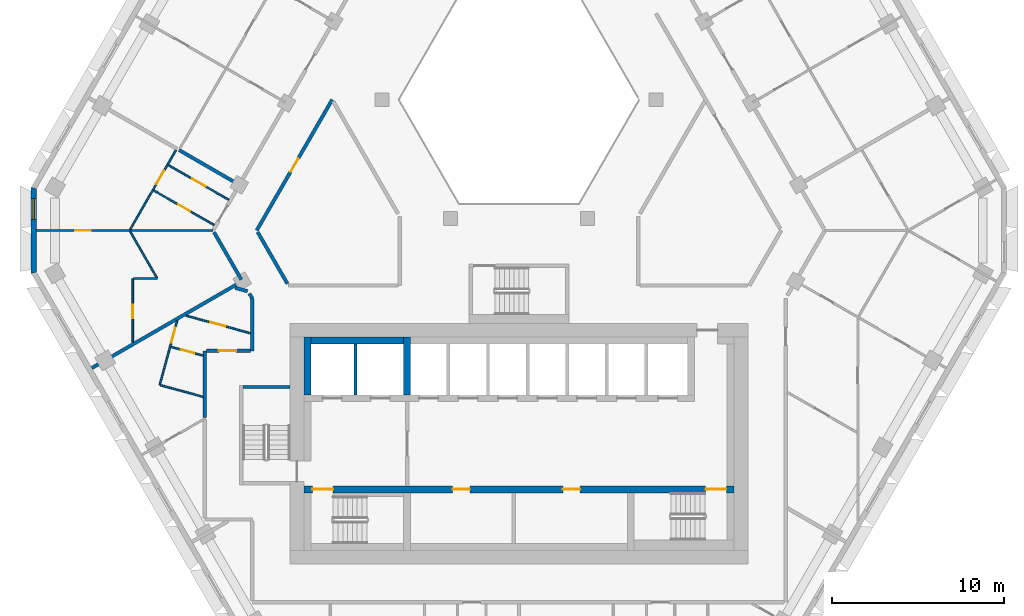
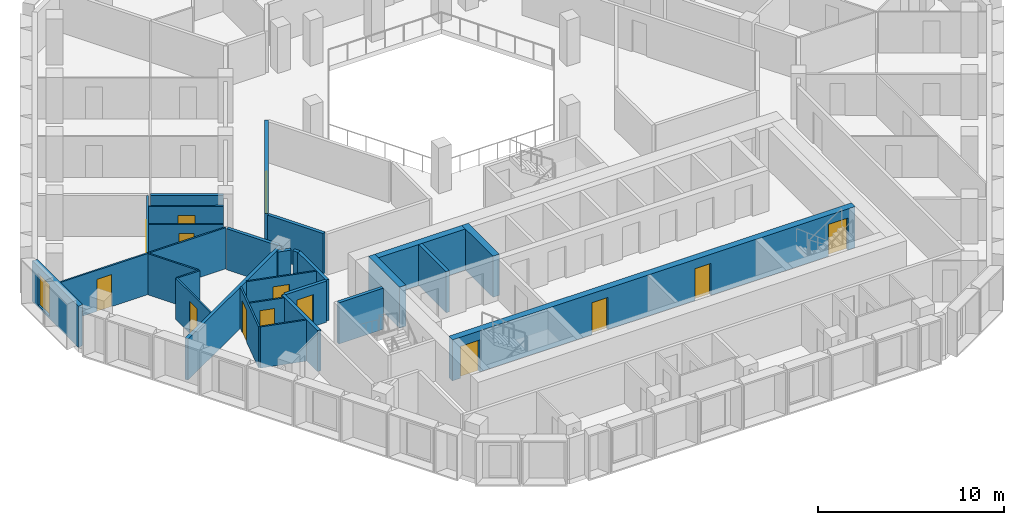
# One storey, part 4 of 15: 28 walls, 14 doors, 1 window, 15 openings.
"""IFC4 building model written with IfcOpenShell, lengths in metres."""

import ifcopenshell
import ifcopenshell.guid

model = None  # the IFC model being written
_history = None  # IfcOwnerHistory: only IFC2X3 demands one
_inside = {}  # id of a spatial element -> (the spatial element, [elements in it])
_under = {}  # id of a project, library or spatial element -> (it, [spatial elements below it])
_declared = {}  # id of a project -> (the project, [libraries it declares])
_typed = {}  # id of a type object -> (the type object, [elements of that type])
_made_of = {}  # id of a material, layer set ... -> (it, [elements and type objects made of it])


def new_model(schema):
    """Start an empty IFC model of exactly this schema.

    Asked for "IFC4X3", IfcOpenShell would pick the latest addendum, in which some entities
    have other attributes; the version numbers below select the first issue.
    IFC2X3 requires an IfcOwnerHistory on every rooted entity: one is made here for all.
    """
    global model, _history
    if schema == "IFC4X3":
        model = ifcopenshell.file(schema_version=(4, 3, 0, 0))
    else:
        model = ifcopenshell.file(schema=schema)
    _inside.clear()
    _under.clear()
    _declared.clear()
    _typed.clear()
    _made_of.clear()
    _history = None
    if model.schema == "IFC2X3":
        org = make("IfcOrganization", Name="unknown")
        user = make(
            "IfcPersonAndOrganization",
            ThePerson=make("IfcPerson", FamilyName="unknown"),
            TheOrganization=org,
        )
        app = make(
            "IfcApplication",
            ApplicationDeveloper=org,
            Version="unknown",
            ApplicationFullName="unknown",
            ApplicationIdentifier="unknown",
        )
        _history = make(
            "IfcOwnerHistory",
            OwningUser=user,
            OwningApplication=app,
            ChangeAction="ADDED",
            CreationDate=0,
        )
    return model


def make(cls, **values):
    """One entity of the class cls with the attributes given. An attribute that is None is left unset."""
    return model.create_entity(
        cls, **{name: value for name, value in values.items() if value is not None}
    )


def rooted(cls, **values):
    """An entity with a GlobalId (a new one), such as an element, a storey or a relation."""
    return make(cls, GlobalId=ifcopenshell.guid.new(), OwnerHistory=_history, **values)


def si_unit(unit_type, name, prefix=None):
    """IfcSIUnit, for example si_unit("LENGTHUNIT", "METRE", prefix="MILLI")."""
    return make("IfcSIUnit", UnitType=unit_type, Prefix=prefix, Name=name)


def assignment(units):
    """IfcUnitAssignment: the units of a project."""
    return None if units is None else make("IfcUnitAssignment", Units=units)


def point(xyz):
    """IfcCartesianPoint."""
    return None if xyz is None else make("IfcCartesianPoint", Coordinates=xyz)


def direction(xyz):
    """IfcDirection."""
    return None if xyz is None else make("IfcDirection", DirectionRatios=xyz)


def frame(location, z_axis=None, x_axis=None):
    """IfcAxis2Placement3D, a coordinate frame: its origin and axes. An axis left out is left unset."""
    return make(
        "IfcAxis2Placement3D",
        Location=point(location),
        Axis=direction(z_axis),
        RefDirection=direction(x_axis),
    )


def frame_2d(location, x_axis=None):
    """IfcAxis2Placement2D, a coordinate frame in the plane: its origin and x axis."""
    return make(
        "IfcAxis2Placement2D", Location=point(location), RefDirection=direction(x_axis)
    )


def origin():
    """The frame at (0, 0, 0) with its axes left unset."""
    return frame((0.0, 0.0, 0.0))


def place(relative_to, where):
    """IfcLocalPlacement: puts the frame where relative to a parent placement (None: the world)."""
    return make(
        "IfcLocalPlacement", PlacementRelTo=relative_to, RelativePlacement=where
    )


def context(
    kind, dimensions, precision=None, world=None, true_north=None, identifier=None
):
    """IfcGeometricRepresentationContext, for example the 3D "Model" context."""
    return make(
        "IfcGeometricRepresentationContext",
        ContextIdentifier=identifier,
        ContextType=kind,
        CoordinateSpaceDimension=dimensions,
        Precision=precision,
        WorldCoordinateSystem=world,
        TrueNorth=true_north,
    )


def subcontext(parent, identifier, kind, view, scale=None):
    """IfcGeometricRepresentationSubContext, for example "Body" below "Model"."""
    return make(
        "IfcGeometricRepresentationSubContext",
        ContextIdentifier=identifier,
        ContextType=kind,
        ParentContext=parent,
        TargetScale=scale,
        TargetView=view,
    )


def project(units=None, contexts=None):
    """IfcProject with its units and contexts."""
    return rooted(
        "IfcProject",
        Name="project",
        RepresentationContexts=contexts,
        UnitsInContext=assignment(units),
    )


def spatial(cls, under=None, at=None, **own):
    """A site, building, storey or space (cls), placed at a placement, below another one or the project."""
    s = rooted(cls, ObjectPlacement=at, **own)
    if under is not None:
        _under.setdefault(under.id(), (under, []))[1].append(s)
    return s


def polyline(points):
    """IfcPolyline through the points."""
    return make("IfcPolyline", Points=[point(p) for p in points])


def profile(cls, at=None, kind="AREA", **sizes):
    """A parametric profile (cls). Its sizes go by their IFC names, for example OverallWidth=200.0."""
    return make(cls, ProfileType=kind, Position=at, **sizes)


def rectangle(**sizes):
    """IfcRectangleProfileDef."""
    return profile("IfcRectangleProfileDef", **sizes)


def outline(outer, holes=None, kind="AREA"):
    """IfcArbitraryClosedProfileDef: a profile drawn as a closed curve; with holes, ...WithVoids."""
    if holes is None:
        return make("IfcArbitraryClosedProfileDef", ProfileType=kind, OuterCurve=outer)
    return make(
        "IfcArbitraryProfileDefWithVoids",
        ProfileType=kind,
        OuterCurve=outer,
        InnerCurves=holes,
    )


def extrude(swept, where, along, depth):
    """IfcExtrudedAreaSolid: the profile swept, set in the frame where, extruded along a direction by depth."""
    return make(
        "IfcExtrudedAreaSolid",
        SweptArea=swept,
        Position=where,
        ExtrudedDirection=direction(along),
        Depth=depth,
    )


def shape(context_of_items, identifier, shape_type, items):
    """IfcShapeRepresentation: the items that make up one representation, for example the "Body"."""
    return make(
        "IfcShapeRepresentation",
        ContextOfItems=context_of_items,
        RepresentationIdentifier=identifier,
        RepresentationType=shape_type,
        Items=items,
    )


def material(Name=None, Category=None):
    """IfcMaterial."""
    return make("IfcMaterial", Name=Name, Category=Category)


def layer(
    of_material, thickness, ventilated=None, Name=None, Category=None, Priority=None
):
    """IfcMaterialLayer: one layer of a wall or slab, of a material (None: an air gap)."""
    return make(
        "IfcMaterialLayer",
        Material=of_material,
        LayerThickness=thickness,
        IsVentilated=ventilated,
        Name=Name,
        Category=Category,
        Priority=Priority,
    )


def layer_set(layers, Name=None):
    """IfcMaterialLayerSet."""
    return make("IfcMaterialLayerSet", MaterialLayers=layers, LayerSetName=Name)


def made_of(thing, what):
    """Note that an element or type object is made of a material, layer set ...; save() writes the relation."""
    if what is not None:
        _made_of.setdefault(what.id(), (what, []))[1].append(thing)
    return thing


def type_object(cls, material=None, **own):
    """A type object (cls), such as IfcWallType, which elements share."""
    return made_of(rooted(cls, **own), material)


def element(
    cls,
    number,
    at=None,
    inside=None,
    cuts=None,
    type_object=None,
    material=None,
    context=None,
    identifier="Body",
    shape_type=None,
    held_by="IfcProductDefinitionShape",
    body=None,
    shapes=None,
    **own,
):
    """One element of the class cls, such as IfcWall. Its Tag is "e" and its number.

    at: its placement. inside: the storey or other place that contains it. cuts: it is an
    opening in that element (IfcRelVoidsElement). A single representation is given by context,
    identifier, shape_type and body (its items); several are given by shapes. held_by: the class
    of the entity that holds the representations. save() writes the other relations.
    """
    e = rooted(cls, Tag="e%d" % number, ObjectPlacement=at, **own)
    if body is not None:
        shapes = [shape(context, identifier, shape_type, body)]
    if shapes is not None:
        e.Representation = make(held_by, Representations=shapes)
    if inside is not None:
        _inside.setdefault(inside.id(), (inside, []))[1].append(e)
    if cuts is not None:
        rooted(
            "IfcRelVoidsElement", RelatingBuildingElement=cuts, RelatedOpeningElement=e
        )
    if type_object is not None:
        _typed.setdefault(type_object.id(), (type_object, []))[1].append(e)
    return made_of(e, material)


def fill(opening, filler):
    """IfcRelFillsElement: the door or window that sits in an opening."""
    return rooted(
        "IfcRelFillsElement",
        RelatingOpeningElement=opening,
        RelatedBuildingElement=filler,
    )


def aggregate(whole, parts):
    """IfcRelAggregates: a whole, such as a stair, and the parts it consists of."""
    return rooted("IfcRelAggregates", RelatingObject=whole, RelatedObjects=parts)


def save(model, path):
    """Write the relations noted so far, then the file.

    IfcRelAggregates (storeys below a building ...), IfcRelContainedInSpatialStructure (elements
    in a storey), IfcRelDefinesByType, IfcRelAssociatesMaterial and IfcRelDeclares: one each for
    every whole, place, type object, material and project.
    """
    for whole, parts in _under.values():
        aggregate(whole, parts)
    for where, things in _inside.values():
        rooted(
            "IfcRelContainedInSpatialStructure",
            RelatedElements=things,
            RelatingStructure=where,
        )
    for kind, things in _typed.values():
        rooted("IfcRelDefinesByType", RelatedObjects=things, RelatingType=kind)
    for what, things in _made_of.values():
        rooted("IfcRelAssociatesMaterial", RelatedObjects=things, RelatingMaterial=what)
    for by, libraries in _declared.values():
        rooted("IfcRelDeclares", RelatingContext=by, RelatedDefinitions=libraries)
    model.write(path)


model = new_model("IFC4")

# Units and contexts
model_context = context("Model", 3, precision=1e-05, world=origin(), true_north=direction((0.0, 1.0)))
body_context = subcontext(model_context, "Body", "Model", "MODEL_VIEW")
ifc_project = project(units=[si_unit("LENGTHUNIT", "METRE"), si_unit("AREAUNIT", "SQUARE_METRE"), si_unit("VOLUMEUNIT", "CUBIC_METRE"), si_unit("PLANEANGLEUNIT", "RADIAN"), si_unit("MASSUNIT", "GRAM", prefix="KILO")], contexts=[model_context])

# Site, building, storey
site_placement = place(None, origin())
site = spatial("IfcSite", under=ifc_project, at=site_placement, CompositionType="ELEMENT")
building_placement = place(site_placement, origin())
building = spatial("IfcBuilding", under=site, at=building_placement, Name="Beryl Residences", CompositionType="ELEMENT")
storey_placement = place(building_placement, frame((0.0, 0.0, 117.60009765625)))
storey = spatial("IfcBuildingStorey", under=building, at=storey_placement, Name="L35", CompositionType="ELEMENT", Elevation=117.60009765625)

# Wall, opening, window
ifc_material_1 = material(Name="Composite metal panel with mineral wool insulation")
ifc_layer_1 = layer(ifc_material_1, 0.300048828125)
ifc_layer_set_1 = layer_set([ifc_layer_1], Name="ES1 pale metal composite panel wall 300 mm")
wall_type_1 = type_object("IfcWallType", Name="ES1 pale metal composite panel wall 300 mm", PredefinedType="SOLIDWALL", material=ifc_layer_set_1)
wall_1_placement = place(storey_placement, frame((-28.197998046875, 2.89990234375, 0.0), z_axis=(0.0, 0.0, 1.0), x_axis=(0.0, -1.0, 0.0)))
wall_1 = element("IfcWall", 1, at=wall_1_placement, inside=storey, type_object=wall_type_1, Name="ES1 external wall L35 NW-SW", PredefinedType="SOLIDWALL", context=body_context, shape_type="SweptSolid", body=[
    extrude(outline(polyline([(0.0, -0.14990234375), (5.0, -0.14990234375), (4.919677734375, 0.14990234375), (0.080322265625, 0.14990234375), (0.0, -0.14990234375)])), origin(), (0.0, 0.0, 1.0), 2.699951171875),
])
opening_1_placement = place(wall_1_placement, frame((0.64990234375, 0.0, 0.14990234375)))
opening_1 = element("IfcOpeningElement", 2, at=opening_1_placement, cuts=wall_1, Name="Opening W2", PredefinedType="OPENING", context=body_context, shape_type="SweptSolid", body=[
    extrude(rectangle(XDim=1.199951171875, YDim=2.10009765625, at=frame_2d((0.60009765625, 1.050048828125))), frame((0.0, 0.159912109375, 0.0), z_axis=(0.0, -1.0, 0.0), x_axis=(1.0, 0.0, 0.0)), (0.0, 0.0, 1.0), 0.320068359375),
])
ifc_material_2 = material(Name="Aluminium and clear glass", Category="aluminium")
window_type = type_object("IfcWindowType", Name="W2 chamfer window 1200 x 2100 mm", PartitioningType="SINGLE_PANEL", PredefinedType="WINDOW", material=ifc_material_2)
window_placement = place(opening_1_placement, origin())
window = element("IfcWindow", 3, at=window_placement, inside=storey, type_object=window_type, Name="W2 window L35 NW-SW 1", OverallHeight=2.10009765625, OverallWidth=1.199951171875, PartitioningType="SINGLE_PANEL", PredefinedType="WINDOW", context=body_context, shape_type="SweptSolid", body=[
    extrude(rectangle(XDim=1.199951171875, YDim=2.10009765625, at=frame_2d((0.60009765625, 1.050048828125))), frame((0.0, 0.030029296875, 0.0), z_axis=(0.0, -1.0, 0.0), x_axis=(1.0, 0.0, 0.0)), (0.0, 0.0, 1.0), 0.06005859375),
])
fill(opening_1, window)

# Wall
ifc_material_3 = material(Name="Gypsum board partition on steel studs", Category="steel")
ifc_layer_2 = layer(ifc_material_3, 0.10009765625)
ifc_layer_set_2 = layer_set([ifc_layer_2], Name="PT1 partition 100 mm gypsum board on steel studs")
wall_type_2 = type_object("IfcWallType", Name="PT1 partition 100 mm gypsum board on steel studs", PredefinedType="PARTITIONING", material=ifc_layer_set_2)
wall_2_placement = place(storey_placement, frame((-22.60302734375, 0.34912109375, 0.0), z_axis=(0.0, 0.0, 1.0), x_axis=(0.499930403552, -0.866065581584, 0.0)))
element("IfcWall", 4, at=wall_2_placement, inside=storey, type_object=wall_type_2, Name="Wall PT1 L35 001", PredefinedType="PARTITIONING", context=body_context, shape_type="SweptSolid", body=[
    extrude(rectangle(XDim=3.11669921875, YDim=0.10009765625, at=frame_2d((1.558349609375, 0.0))), origin(), (0.0, 0.0, 1.0), 2.699951171875),
])

# Wall, opening, door
wall_3_placement = place(storey_placement, frame((-19.35107421875, -4.552978515625, 0.0), z_axis=(0.0, 0.0, 1.0), x_axis=(0.964766719363, -0.263106779102, 0.0)))
wall_3 = element("IfcWall", 5, at=wall_3_placement, inside=storey, type_object=wall_type_2, Name="Wall PT1 L35 009", PredefinedType="PARTITIONING", context=body_context, shape_type="SweptSolid", body=[
    extrude(rectangle(XDim=3.887939453125, YDim=0.10009765625, at=frame_2d((1.94384765625, 0.0))), origin(), (0.0, 0.0, 1.0), 2.699951171875),
])
opening_2_placement = place(wall_3_placement, frame((1.47509765625, 0.0, 0.0)))
opening_2 = element("IfcOpeningElement", 6, at=opening_2_placement, cuts=wall_3, Name="Opening D1250", PredefinedType="OPENING", context=body_context, shape_type="SweptSolid", body=[
    extrude(rectangle(XDim=0.89990234375, YDim=2.10009765625, at=frame_2d((0.449951171875, 1.050048828125))), frame((0.0, 0.06005859375, 0.0), z_axis=(0.0, -1.0, 0.0), x_axis=(1.0, 0.0, 0.0)), (0.0, 0.0, 1.0), 0.1201171875),
])
ifc_material_4 = material(Name="Timber door leaf", Category="wood")
door_type_1 = type_object("IfcDoorType", Name="D2 room door 900 x 2100 mm", OperationType="SINGLE_SWING_LEFT", PredefinedType="DOOR", material=ifc_material_4)
door_1_placement = place(opening_2_placement, origin())
door_1 = element("IfcDoor", 7, at=door_1_placement, inside=storey, type_object=door_type_1, Name="Door D1250 L35 001", OperationType="SINGLE_SWING_RIGHT", OverallHeight=2.10009765625, OverallWidth=0.89990234375, PredefinedType="DOOR", context=body_context, shape_type="SweptSolid", body=[
    extrude(rectangle(XDim=0.89990234375, YDim=2.10009765625, at=frame_2d((0.449951171875, 1.050048828125))), frame((0.0, 0.02490234375, 0.0), z_axis=(0.0, -1.0, 0.0), x_axis=(1.0, 0.0, 0.0)), (0.0, 0.0, 1.0), 0.050048828125),
])
fill(opening_2, door_1)

wall_4_placement = place(storey_placement, frame((-20.221923828125, -6.367919921875, 0.0), z_axis=(0.0, 0.0, 1.0), x_axis=(0.964827681618, -0.262883139024, 0.0)))
wall_4 = element("IfcWall", 8, at=wall_4_placement, inside=storey, type_object=wall_type_2, Name="Wall PT1 L35 010", PredefinedType="PARTITIONING", context=body_context, shape_type="SweptSolid", body=[
    extrude(rectangle(XDim=1.93994140625, YDim=0.10009765625, at=frame_2d((0.969970703125, 0.0))), origin(), (0.0, 0.0, 1.0), 2.699951171875),
])
opening_3_placement = place(wall_4_placement, frame((0.596923828125, 0.0, 0.0)))
opening_3 = element("IfcOpeningElement", 9, at=opening_3_placement, cuts=wall_4, Name="Opening D1251", PredefinedType="OPENING", context=body_context, shape_type="SweptSolid", body=[
    extrude(rectangle(XDim=0.800048828125, YDim=2.10009765625, at=frame_2d((0.39990234375, 1.050048828125))), frame((0.0, 0.06005859375, 0.0), z_axis=(0.0, -1.0, 0.0), x_axis=(1.0, 0.0, 0.0)), (0.0, 0.0, 1.0), 0.1201171875),
])
ifc_material_5 = material(Name="Timber door leaf", Category="wood")
door_type_2 = type_object("IfcDoorType", Name="D3 bathroom door 800 x 2100 mm", OperationType="SINGLE_SWING_LEFT", PredefinedType="DOOR", material=ifc_material_5)
door_2_placement = place(opening_3_placement, origin())
door_2 = element("IfcDoor", 10, at=door_2_placement, inside=storey, type_object=door_type_2, Name="Door D1251 L35 001", OperationType="SINGLE_SWING_LEFT", OverallHeight=2.10009765625, OverallWidth=0.800048828125, PredefinedType="DOOR", context=body_context, shape_type="SweptSolid", body=[
    extrude(rectangle(XDim=0.800048828125, YDim=2.10009765625, at=frame_2d((0.39990234375, 1.050048828125))), frame((0.0, 0.02490234375, 0.0), z_axis=(0.0, -1.0, 0.0), x_axis=(1.0, 0.0, 0.0)), (0.0, 0.0, 1.0), 0.050048828125),
])
fill(opening_3, door_2)

# Wall
wall_5_placement = place(storey_placement, frame((-20.830078125, -8.596923828125, 0.0), z_axis=(0.0, 0.0, 1.0), x_axis=(0.964796691053, -0.262996853468, 0.0)))
element("IfcWall", 11, at=wall_5_placement, inside=storey, type_object=wall_type_2, Name="Wall PT1 L35 011", PredefinedType="PARTITIONING", context=body_context, shape_type="SweptSolid", body=[
    extrude(rectangle(XDim=2.570556640625, YDim=0.10009765625, at=frame_2d((1.28515625, 0.0))), origin(), (0.0, 0.0, 1.0), 2.699951171875),
])

# Wall, opening, door
wall_6_placement = place(storey_placement, frame((-20.381103515625, 4.197998046875, 0.0), z_axis=(0.0, 0.0, 1.0), x_axis=(0.867459321792, -0.497508115549, 0.0)))
wall_6 = element("IfcWall", 12, at=wall_6_placement, inside=storey, type_object=wall_type_2, Name="Wall PT1 L35 012", PredefinedType="PARTITIONING", context=body_context, shape_type="SweptSolid", body=[
    extrude(rectangle(XDim=4.050048828125, YDim=0.10009765625, at=frame_2d((2.02490234375, 0.0))), origin(), (0.0, 0.0, 1.0), 2.699951171875),
])
opening_4_placement = place(wall_6_placement, frame((1.60009765625, 0.0, 0.0)))
opening_4 = element("IfcOpeningElement", 13, at=opening_4_placement, cuts=wall_6, Name="Opening D1244", PredefinedType="OPENING", context=body_context, shape_type="SweptSolid", body=[
    extrude(rectangle(XDim=0.89990234375, YDim=2.10009765625, at=frame_2d((0.449951171875, 1.050048828125))), frame((0.0, 0.06005859375, 0.0), z_axis=(0.0, -1.0, 0.0), x_axis=(1.0, 0.0, 0.0)), (0.0, 0.0, 1.0), 0.1201171875),
])
door_3_placement = place(opening_4_placement, origin())
door_3 = element("IfcDoor", 14, at=door_3_placement, inside=storey, type_object=door_type_1, Name="Door D1244 L35 001", OperationType="SINGLE_SWING_RIGHT", OverallHeight=2.10009765625, OverallWidth=0.89990234375, PredefinedType="DOOR", context=body_context, shape_type="SweptSolid", body=[
    extrude(rectangle(XDim=0.89990234375, YDim=2.10009765625, at=frame_2d((0.449951171875, 1.050048828125))), frame((0.0, 0.02490234375, 0.0), z_axis=(0.0, -1.0, 0.0), x_axis=(1.0, 0.0, 0.0)), (0.0, 0.0, 1.0), 0.050048828125),
])
fill(opening_4, door_3)

wall_7_placement = place(storey_placement, frame((-21.23095703125, 2.72607421875, 0.0), z_axis=(0.0, 0.0, 1.0), x_axis=(0.867314299312, -0.497760892607, 0.0)))
wall_7 = element("IfcWall", 15, at=wall_7_placement, inside=storey, type_object=wall_type_2, Name="Wall PT1 L35 013", PredefinedType="PARTITIONING", context=body_context, shape_type="SweptSolid", body=[
    extrude(rectangle(XDim=4.05029296875, YDim=0.10009765625, at=frame_2d((2.025146484375, 0.0))), origin(), (0.0, 0.0, 1.0), 2.699951171875),
])
opening_5_placement = place(wall_7_placement, frame((1.64990234375, 0.0, 0.0)))
opening_5 = element("IfcOpeningElement", 16, at=opening_5_placement, cuts=wall_7, Name="Opening D1245", PredefinedType="OPENING", context=body_context, shape_type="SweptSolid", body=[
    extrude(rectangle(XDim=0.800048828125, YDim=2.10009765625, at=frame_2d((0.39990234375, 1.050048828125))), frame((0.0, 0.06005859375, 0.0), z_axis=(0.0, -1.0, 0.0), x_axis=(1.0, 0.0, 0.0)), (0.0, 0.0, 1.0), 0.1201171875),
])
door_4_placement = place(opening_5_placement, origin())
door_4 = element("IfcDoor", 17, at=door_4_placement, inside=storey, type_object=door_type_2, Name="Door D1245 L35 001", OperationType="SINGLE_SWING_LEFT", OverallHeight=2.10009765625, OverallWidth=0.800048828125, PredefinedType="DOOR", context=body_context, shape_type="SweptSolid", body=[
    extrude(rectangle(XDim=0.800048828125, YDim=2.10009765625, at=frame_2d((0.39990234375, 1.050048828125))), frame((0.0, 0.02490234375, 0.0), z_axis=(0.0, -1.0, 0.0), x_axis=(1.0, 0.0, 0.0)), (0.0, 0.0, 1.0), 0.050048828125),
])
fill(opening_5, door_4)

# Wall
wall_8_placement = place(storey_placement, frame((-22.39990234375, -2.39990234375, 0.0), z_axis=(0.0, 0.0, 1.0), x_axis=(1.0, 0.0, 0.0)))
element("IfcWall", 18, at=wall_8_placement, inside=storey, type_object=wall_type_2, Name="Wall PT1 L35 022", PredefinedType="PARTITIONING", context=body_context, shape_type="SweptSolid", body=[
    extrude(rectangle(XDim=1.3837890625, YDim=0.10009765625, at=frame_2d((0.69189453125, 0.0))), origin(), (0.0, 0.0, 1.0), 2.699951171875),
])

# Wall, opening, door
wall_9_placement = place(storey_placement, frame((-28.048095703125, 0.39892578125, 0.0), z_axis=(0.0, 0.0, 1.0), x_axis=(1.0, 0.0, 0.0)))
wall_9 = element("IfcWall", 19, at=wall_9_placement, inside=storey, type_object=wall_type_2, Name="Wall PT1 L35 023", PredefinedType="PARTITIONING", context=body_context, shape_type="SweptSolid", body=[
    extrude(rectangle(XDim=10.26611328125, YDim=0.10009765625, at=frame_2d((5.133056640625, 0.0))), origin(), (0.0, 0.0, 1.0), 2.699951171875),
])
opening_6_placement = place(wall_9_placement, frame((2.258056640625, 0.0, 0.0)))
opening_6 = element("IfcOpeningElement", 20, at=opening_6_placement, cuts=wall_9, Name="Opening D1247", PredefinedType="OPENING", context=body_context, shape_type="SweptSolid", body=[
    extrude(rectangle(XDim=0.89990234375, YDim=2.10009765625, at=frame_2d((0.449951171875, 1.050048828125))), frame((0.0, 0.06005859375, 0.0), z_axis=(0.0, -1.0, 0.0), x_axis=(1.0, 0.0, 0.0)), (0.0, 0.0, 1.0), 0.1201171875),
])
door_5_placement = place(opening_6_placement, origin())
door_5 = element("IfcDoor", 21, at=door_5_placement, inside=storey, type_object=door_type_1, Name="Door D1247 L35 001", OperationType="SINGLE_SWING_LEFT", OverallHeight=2.10009765625, OverallWidth=0.89990234375, PredefinedType="DOOR", context=body_context, shape_type="SweptSolid", body=[
    extrude(rectangle(XDim=0.89990234375, YDim=2.10009765625, at=frame_2d((0.449951171875, 1.050048828125))), frame((0.0, 0.02490234375, 0.0), z_axis=(0.0, -1.0, 0.0), x_axis=(1.0, 0.0, 0.0)), (0.0, 0.0, 1.0), 0.050048828125),
])
fill(opening_6, door_5)

wall_10_placement = place(storey_placement, frame((-22.60302734375, 0.448974609375, 0.0), z_axis=(0.0, 0.0, 1.0), x_axis=(0.500022588228, 0.866012362072, 0.0)))
wall_10 = element("IfcWall", 22, at=wall_10_placement, inside=storey, type_object=wall_type_2, Name="Wall PT1 L35 032", PredefinedType="PARTITIONING", context=body_context, shape_type="SweptSolid", body=[
    extrude(rectangle(XDim=5.327880859375, YDim=0.10009765625, at=frame_2d((2.6640625, 0.0))), origin(), (0.0, 0.0, 1.0), 2.699951171875),
])
opening_7_placement = place(wall_10_placement, frame((3.05810546875, 0.0, 0.0)))
opening_7 = element("IfcOpeningElement", 23, at=opening_7_placement, cuts=wall_10, Name="Opening D1246", PredefinedType="OPENING", context=body_context, shape_type="SweptSolid", body=[
    extrude(rectangle(XDim=0.89990234375, YDim=2.10009765625, at=frame_2d((0.449951171875, 1.050048828125))), frame((0.0, 0.06005859375, 0.0), z_axis=(0.0, -1.0, 0.0), x_axis=(1.0, 0.0, 0.0)), (0.0, 0.0, 1.0), 0.1201171875),
])
door_6_placement = place(opening_7_placement, origin())
door_6 = element("IfcDoor", 24, at=door_6_placement, inside=storey, type_object=door_type_1, Name="Door D1246 L35 001", OperationType="SINGLE_SWING_RIGHT", OverallHeight=2.10009765625, OverallWidth=0.89990234375, PredefinedType="DOOR", context=body_context, shape_type="SweptSolid", body=[
    extrude(rectangle(XDim=0.89990234375, YDim=2.10009765625, at=frame_2d((0.449951171875, 1.050048828125))), frame((0.0, 0.02490234375, 0.0), z_axis=(0.0, -1.0, 0.0), x_axis=(1.0, 0.0, 0.0)), (0.0, 0.0, 1.0), 0.050048828125),
])
fill(opening_7, door_6)

wall_11_placement = place(storey_placement, frame((-20.8779296875, -8.5830078125, 0.0), z_axis=(0.0, 0.0, 1.0), x_axis=(0.263144077993, 0.964756546605, 0.0)))
wall_11 = element("IfcWall", 25, at=wall_11_placement, inside=storey, type_object=wall_type_2, Name="Wall PT1 L35 035", PredefinedType="PARTITIONING", context=body_context, shape_type="SweptSolid", body=[
    extrude(rectangle(XDim=3.87255859375, YDim=0.10009765625, at=frame_2d((1.936279296875, 0.0))), origin(), (0.0, 0.0, 1.0), 2.699951171875),
])
opening_8_placement = place(wall_11_placement, frame((2.552001953125, 0.0, 0.0)))
opening_8 = element("IfcOpeningElement", 26, at=opening_8_placement, cuts=wall_11, Name="Opening D1252", PredefinedType="OPENING", context=body_context, shape_type="SweptSolid", body=[
    extrude(rectangle(XDim=0.89990234375, YDim=2.10009765625, at=frame_2d((0.449951171875, 1.050048828125))), frame((0.0, 0.06005859375, 0.0), z_axis=(0.0, -1.0, 0.0), x_axis=(1.0, 0.0, 0.0)), (0.0, 0.0, 1.0), 0.1201171875),
])
door_7_placement = place(opening_8_placement, origin())
door_7 = element("IfcDoor", 27, at=door_7_placement, inside=storey, type_object=door_type_1, Name="Door D1252 L35 001", OperationType="SINGLE_SWING_RIGHT", OverallHeight=2.10009765625, OverallWidth=0.89990234375, PredefinedType="DOOR", context=body_context, shape_type="SweptSolid", body=[
    extrude(rectangle(XDim=0.89990234375, YDim=2.10009765625, at=frame_2d((0.449951171875, 1.050048828125))), frame((0.0, 0.02490234375, 0.0), z_axis=(0.0, -1.0, 0.0), x_axis=(1.0, 0.0, 0.0)), (0.0, 0.0, 1.0), 0.050048828125),
])
fill(opening_8, door_7)

wall_12_placement = place(storey_placement, frame((-22.449951171875, -6.112060546875, 0.0), z_axis=(0.0, 0.0, 1.0), x_axis=(0.0, 1.0, 0.0)))
wall_12 = element("IfcWall", 28, at=wall_12_placement, inside=storey, type_object=wall_type_2, Name="Wall PT1 L35 048", PredefinedType="PARTITIONING", context=body_context, shape_type="SweptSolid", body=[
    extrude(rectangle(XDim=3.712158203125, YDim=0.10009765625, at=frame_2d((1.85595703125, 0.0))), origin(), (0.0, 0.0, 1.0), 2.699951171875),
])
opening_9_placement = place(wall_12_placement, frame((1.39794921875, 0.0, 0.0)))
opening_9 = element("IfcOpeningElement", 29, at=opening_9_placement, cuts=wall_12, Name="Opening D1248", PredefinedType="OPENING", context=body_context, shape_type="SweptSolid", body=[
    extrude(rectangle(XDim=0.800048828125, YDim=2.10009765625, at=frame_2d((0.39990234375, 1.050048828125))), frame((0.0, 0.06005859375, 0.0), z_axis=(0.0, -1.0, 0.0), x_axis=(1.0, 0.0, 0.0)), (0.0, 0.0, 1.0), 0.1201171875),
])
door_8_placement = place(opening_9_placement, origin())
door_8 = element("IfcDoor", 30, at=door_8_placement, inside=storey, type_object=door_type_2, Name="Door D1248 L35 001", OperationType="SINGLE_SWING_RIGHT", OverallHeight=2.10009765625, OverallWidth=0.800048828125, PredefinedType="DOOR", context=body_context, shape_type="SweptSolid", body=[
    extrude(rectangle(XDim=0.800048828125, YDim=2.10009765625, at=frame_2d((0.39990234375, 1.050048828125))), frame((0.0, 0.02490234375, 0.0), z_axis=(0.0, -1.0, 0.0), x_axis=(1.0, 0.0, 0.0)), (0.0, 0.0, 1.0), 0.050048828125),
])
fill(opening_9, door_8)

# Walls
ifc_material_6 = material(Name="Acoustic double stud gypsum board wall")
ifc_layer_3 = layer(ifc_material_6, 0.199951171875)
ifc_layer_set_3 = layer_set([ifc_layer_3], Name="PT3 party wall 200 mm acoustic double stud")
wall_type_3 = type_object("IfcWallType", Name="PT3 party wall 200 mm acoustic double stud", PredefinedType="PARTITIONING", material=ifc_layer_set_3)
wall_13_placement = place(storey_placement, frame((-16.492919921875, -2.93798828125, 0.0), z_axis=(0.0, 0.0, 1.0), x_axis=(0.964816958114, -0.262922493019, 0.0)))
element("IfcWall", 31, at=wall_13_placement, inside=storey, type_object=wall_type_3, Name="Wall PT3 L35 004", PredefinedType="PARTITIONING", context=body_context, shape_type="SweptSolid", body=[
    extrude(rectangle(XDim=0.741943359375, YDim=0.199951171875, at=frame_2d((0.37109375, 0.0))), origin(), (0.0, 0.0, 1.0), 2.699951171875),
])
wall_14_placement = place(storey_placement, frame((-19.756103515625, 5.072998046875, 0.0), z_axis=(0.0, 0.0, 1.0), x_axis=(0.866014535457, -0.500018824023, 0.0)))
element("IfcWall", 32, at=wall_14_placement, inside=storey, type_object=wall_type_3, Name="Wall PT3 L35 006", PredefinedType="PARTITIONING", context=body_context, shape_type="SweptSolid", body=[
    extrude(rectangle(XDim=3.945556640625, YDim=0.199951171875, at=frame_2d((1.97265625, 0.0))), origin(), (0.0, 0.0, 1.0), 2.699951171875),
])
wall_15_placement = place(storey_placement, frame((-24.825927734375, -7.59912109375, 0.0), z_axis=(0.0, 0.0, 1.0), x_axis=(0.86599621094, 0.500050560081, 0.0)))
element("IfcWall", 33, at=wall_15_placement, inside=storey, type_object=wall_type_3, Name="Wall PT3 L35 013", PredefinedType="PARTITIONING", context=body_context, shape_type="SweptSolid", body=[
    extrude(rectangle(XDim=10.0693359375, YDim=0.199951171875, at=frame_2d((5.03466796875, 0.0))), origin(), (0.0, 0.0, 1.0), 2.699951171875),
])
ifc_material_7 = material(Name="Double stud gypsum board wall")
ifc_layer_4 = layer(ifc_material_7, 0.199951171875)
ifc_layer_set_4 = layer_set([ifc_layer_4], Name="PT4 corridor wall 200 mm double stud")
wall_type_4 = type_object("IfcWallType", Name="PT4 corridor wall 200 mm double stud", PredefinedType="PARTITIONING", material=ifc_layer_set_4)
wall_16_placement = place(storey_placement, frame((-15.18408203125, 0.299072265625, 0.0), z_axis=(0.0, 0.0, 1.0), x_axis=(0.500149577091, -0.865939028186, 0.0)))
element("IfcWall", 34, at=wall_16_placement, inside=storey, type_object=wall_type_4, Name="Wall PT4 L35 002", PredefinedType="PARTITIONING", context=body_context, shape_type="SweptSolid", body=[
    extrude(rectangle(XDim=3.46337890625, YDim=0.199951171875, at=frame_2d((1.731689453125, 0.0))), origin(), (0.0, 0.0, 1.0), 2.699951171875),
])
wall_17_placement = place(storey_placement, frame((-17.72412109375, 0.299072265625, 0.0), z_axis=(0.0, 0.0, 1.0), x_axis=(0.499910220442, -0.866077231832, 0.0)))
element("IfcWall", 35, at=wall_17_placement, inside=storey, type_object=wall_type_4, Name="Wall PT4 L35 003", PredefinedType="PARTITIONING", context=body_context, shape_type="SweptSolid", body=[
    extrude(rectangle(XDim=3.18896484375, YDim=0.199951171875, at=frame_2d((1.594482421875, 0.0))), origin(), (0.0, 0.0, 1.0), 2.699951171875),
])
wall_18_placement = place(storey_placement, frame((-15.6650390625, -3.26708984375, 0.0), z_axis=(0.0, 0.0, 1.0), x_axis=(0.499957196903, -0.866050114754, 0.0)))
element("IfcWall", 36, at=wall_18_placement, inside=storey, type_object=wall_type_4, Name="Wall PT4 L35 004", PredefinedType="PARTITIONING", context=body_context, shape_type="SweptSolid", body=[
    extrude(rectangle(XDim=0.330078125, YDim=0.199951171875, at=frame_2d((0.1650390625, 0.0))), origin(), (0.0, 0.0, 1.0), 2.699951171875),
])

# Wall, opening, door
wall_19_placement = place(storey_placement, frame((-18.14990234375, -6.60009765625, 0.0), z_axis=(0.0, 0.0, 1.0), x_axis=(1.0, 0.0, 0.0)))
wall_19 = element("IfcWall", 37, at=wall_19_placement, inside=storey, type_object=wall_type_4, Name="Wall PT4 L35 010", PredefinedType="PARTITIONING", context=body_context, shape_type="SweptSolid", body=[
    extrude(rectangle(XDim=2.5498046875, YDim=0.199951171875, at=frame_2d((1.27490234375, 0.0))), origin(), (0.0, 0.0, 1.0), 2.699951171875),
])
opening_10_placement = place(wall_19_placement, frame((0.715087890625, 0.0, 0.0)))
opening_10 = element("IfcOpeningElement", 38, at=opening_10_placement, cuts=wall_19, Name="Opening D1249", PredefinedType="OPENING", context=body_context, shape_type="SweptSolid", body=[
    extrude(rectangle(XDim=1.0, YDim=2.10009765625, at=frame_2d((0.5, 1.050048828125))), frame((0.0, 0.10986328125, 0.0), z_axis=(0.0, -1.0, 0.0), x_axis=(1.0, 0.0, 0.0)), (0.0, 0.0, 1.0), 0.219970703125),
])
ifc_material_8 = material(Name="Timber door leaf", Category="wood")
door_type_3 = type_object("IfcDoorType", Name="D1 flat entrance door 1000 x 2100 mm", OperationType="SINGLE_SWING_LEFT", PredefinedType="DOOR", material=ifc_material_8)
door_9_placement = place(opening_10_placement, origin())
door_9 = element("IfcDoor", 39, at=door_9_placement, inside=storey, type_object=door_type_3, Name="Door D1249 L35 001", OperationType="SINGLE_SWING_LEFT", OverallHeight=2.10009765625, OverallWidth=1.0, PredefinedType="DOOR", context=body_context, shape_type="SweptSolid", body=[
    extrude(rectangle(XDim=1.0, YDim=2.10009765625, at=frame_2d((0.5, 1.050048828125))), frame((0.0, 0.02490234375, 0.0), z_axis=(0.0, -1.0, 0.0), x_axis=(1.0, 0.0, 0.0)), (0.0, 0.0, 1.0), 0.050048828125),
])
fill(opening_10, door_9)

wall_20_placement = place(storey_placement, frame((-15.241943359375, 0.39892578125, 0.0), z_axis=(0.0, 0.0, 1.0), x_axis=(0.499953615651, 0.866052182145, 0.0)))
wall_20 = element("IfcWall", 40, at=wall_20_placement, inside=storey, type_object=wall_type_4, Name="Wall PT4 L35 021", PredefinedType="PARTITIONING", context=body_context, shape_type="SweptSolid", body=[
    extrude(rectangle(XDim=8.776611328125, YDim=0.199951171875, at=frame_2d((4.38818359375, 0.0))), origin(), (0.0, 0.0, 1.0), 2.699951171875),
])
opening_11_placement = place(wall_20_placement, frame((3.93798828125, 0.0, 0.0)))
opening_11 = element("IfcOpeningElement", 41, at=opening_11_placement, cuts=wall_20, Name="Opening D1254", PredefinedType="OPENING", context=body_context, shape_type="SweptSolid", body=[
    extrude(rectangle(XDim=0.89990234375, YDim=2.10009765625, at=frame_2d((0.449951171875, 1.050048828125))), frame((0.0, 0.10986328125, 0.0), z_axis=(0.0, -1.0, 0.0), x_axis=(1.0, 0.0, 0.0)), (0.0, 0.0, 1.0), 0.219970703125),
])
door_10_placement = place(opening_11_placement, origin())
door_10 = element("IfcDoor", 42, at=door_10_placement, inside=storey, type_object=door_type_1, Name="Door D1254 L35 001", OperationType="SINGLE_SWING_RIGHT", OverallHeight=2.10009765625, OverallWidth=0.89990234375, PredefinedType="DOOR", context=body_context, shape_type="SweptSolid", body=[
    extrude(rectangle(XDim=0.89990234375, YDim=2.10009765625, at=frame_2d((0.449951171875, 1.050048828125))), frame((0.0, 0.02490234375, 0.0), z_axis=(0.0, -1.0, 0.0), x_axis=(1.0, 0.0, 0.0)), (0.0, 0.0, 1.0), 0.050048828125),
])
fill(opening_11, door_10)

# Walls
wall_21_placement = place(storey_placement, frame((-15.5, -6.60009765625, 0.0), z_axis=(0.0, 0.0, 1.0), x_axis=(0.0, 1.0, 0.0)))
element("IfcWall", 43, at=wall_21_placement, inside=storey, type_object=wall_type_4, Name="Wall PT4 L35 027", PredefinedType="PARTITIONING", context=body_context, shape_type="SweptSolid", body=[
    extrude(rectangle(XDim=3.047119140625, YDim=0.199951171875, at=frame_2d((1.5234375, 0.0))), origin(), (0.0, 0.0, 1.0), 2.699951171875),
])
wall_22_placement = place(storey_placement, frame((-18.25, -10.47802734375, 0.0), z_axis=(0.0, 0.0, 1.0), x_axis=(0.0, 1.0, 0.0)))
element("IfcWall", 44, at=wall_22_placement, inside=storey, type_object=wall_type_4, Name="Wall PT4 L35 028", PredefinedType="PARTITIONING", context=body_context, shape_type="SweptSolid", body=[
    extrude(rectangle(XDim=3.8779296875, YDim=0.199951171875, at=frame_2d((1.93896484375, 0.0))), origin(), (0.0, 0.0, 1.0), 2.699951171875),
])
ifc_material_9 = material(Name="Concrete C40/50", Category="concrete")
ifc_layer_5 = layer(ifc_material_9, 0.199951171875)
ifc_layer_set_5 = layer_set([ifc_layer_5], Name="PT5 stair enclosure wall 200 mm reinforced concrete C40/50")
wall_type_5 = type_object("IfcWallType", Name="PT5 stair enclosure wall 200 mm reinforced concrete C40/50", PredefinedType="SOLIDWALL", material=ifc_layer_set_5)
wall_23_placement = place(storey_placement, frame((-16.050048828125, -8.699951171875, 0.0), z_axis=(0.0, 0.0, 1.0), x_axis=(1.0, 0.0, 0.0)))
element("IfcWall", 45, at=wall_23_placement, inside=storey, type_object=wall_type_5, Name="Stair wall 03", PredefinedType="SOLIDWALL", context=body_context, shape_type="SweptSolid", body=[
    extrude(rectangle(XDim=2.75, YDim=0.199951171875, at=frame_2d((1.375, 0.0))), origin(), (0.0, 0.0, 1.0), 2.699951171875),
])
ifc_material_10 = material(Name="Concrete C40/50", Category="concrete")
ifc_layer_6 = layer(ifc_material_10, 0.199951171875)
ifc_layer_set_6 = layer_set([ifc_layer_6], Name="PT6 lift shaft wall 200 mm reinforced concrete C40/50")
wall_type_6 = type_object("IfcWallType", Name="PT6 lift shaft wall 200 mm reinforced concrete C40/50", PredefinedType="SOLIDWALL", material=ifc_layer_set_6)
wall_24_placement = place(storey_placement, frame((-9.5, -9.14990234375, 0.0), z_axis=(0.0, 0.0, 1.0), x_axis=(0.0, 1.0, 0.0)))
element("IfcWall", 46, at=wall_24_placement, inside=storey, type_object=wall_type_6, Name="Lift shaft wall 10", PredefinedType="SOLIDWALL", context=body_context, shape_type="SweptSolid", body=[
    extrude(rectangle(XDim=2.949951171875, YDim=0.199951171875, at=frame_2d((1.47509765625, 0.0))), origin(), (0.0, 0.0, 1.0), 2.699951171875),
])
ifc_material_11 = material(Name="Concrete C40/50", Category="concrete")
ifc_layer_7 = layer(ifc_material_11, 0.39990234375)
ifc_layer_set_7 = layer_set([ifc_layer_7], Name="PT6-400 lift shaft wall 400 mm")
wall_type_7 = type_object("IfcWallType", Name="PT6-400 lift shaft wall 400 mm", PredefinedType="SOLIDWALL", material=ifc_layer_set_7)
wall_25_placement = place(storey_placement, frame((-12.300048828125, -9.14990234375, 0.0), z_axis=(0.0, 0.0, 1.0), x_axis=(0.0, 1.0, 0.0)))
element("IfcWall", 47, at=wall_25_placement, inside=storey, type_object=wall_type_7, Name="Lift shaft wall 06", PredefinedType="SOLIDWALL", context=body_context, shape_type="SweptSolid", body=[
    extrude(rectangle(XDim=3.349853515625, YDim=0.39990234375, at=frame_2d((1.6748046875, 0.0))), origin(), (0.0, 0.0, 1.0), 2.699951171875),
])
wall_26_placement = place(storey_placement, frame((-12.10009765625, -6.0, 0.0), z_axis=(0.0, 0.0, 1.0), x_axis=(1.0, 0.0, 0.0)))
element("IfcWall", 48, at=wall_26_placement, inside=storey, type_object=wall_type_7, Name="Lift shaft wall 08", PredefinedType="SOLIDWALL", context=body_context, shape_type="SweptSolid", body=[
    extrude(rectangle(XDim=5.400146484375, YDim=0.39990234375, at=frame_2d((2.7001953125, 0.0))), origin(), (0.0, 0.0, 1.0), 2.699951171875),
])

# Wall, openings, doors
ifc_material_12 = material(Name="Concrete C60/75", Category="concrete")
ifc_layer_8 = layer(ifc_material_12, 0.39990234375)
ifc_layer_set_8 = layer_set([ifc_layer_8], Name="SW8 core internal wall 400 mm C60/75")
wall_type_8 = type_object("IfcWallType", Name="SW8 core internal wall 400 mm C60/75", PredefinedType="SHEAR", material=ifc_layer_set_8)
wall_27_placement = place(storey_placement, frame((-12.5, -14.64990234375, 0.0), z_axis=(0.0, 0.0, 1.0), x_axis=(1.0, 0.0, 0.0)))
wall_27 = element("IfcWall", 49, at=wall_27_placement, inside=storey, type_object=wall_type_8, Name="Core wall SP1 L35", PredefinedType="SHEAR", context=body_context, shape_type="SweptSolid", body=[
    extrude(rectangle(XDim=25.0, YDim=0.39990234375, at=frame_2d((12.5, 0.0))), origin(), (0.0, 0.0, 1.0), 2.699951171875),
])
opening_12_placement = place(wall_27_placement, frame((1.699951171875, 0.0, 0.0), z_axis=(0.0, 0.0, 1.0), x_axis=(-1.0, 0.0, 0.0)))
opening_12 = element("IfcOpeningElement", 50, at=opening_12_placement, cuts=wall_27, Name="Opening SD-1", PredefinedType="OPENING", context=body_context, shape_type="SweptSolid", body=[
    extrude(rectangle(XDim=1.199951171875, YDim=2.10009765625, at=frame_2d((0.60009765625, 1.050048828125))), frame((0.0, 0.2099609375, 0.0), z_axis=(0.0, -1.0, 0.0), x_axis=(1.0, 0.0, 0.0)), (0.0, 0.0, 1.0), 0.419921875),
])
opening_13_placement = place(wall_27_placement, frame((24.550048828125, 0.0, 0.0), z_axis=(0.0, 0.0, 1.0), x_axis=(-1.0, 0.0, 0.0)))
opening_13 = element("IfcOpeningElement", 51, at=opening_13_placement, cuts=wall_27, Name="Opening SD-3", PredefinedType="OPENING", context=body_context, shape_type="SweptSolid", body=[
    extrude(rectangle(XDim=1.199951171875, YDim=2.10009765625, at=frame_2d((0.60009765625, 1.050048828125))), frame((0.0, 0.2099609375, 0.0), z_axis=(0.0, -1.0, 0.0), x_axis=(1.0, 0.0, 0.0)), (0.0, 0.0, 1.0), 0.419921875),
])
opening_14_placement = place(wall_27_placement, frame((9.64990234375, 0.0, 0.0), z_axis=(0.0, 0.0, 1.0), x_axis=(-1.0, 0.0, 0.0)))
opening_14 = element("IfcOpeningElement", 52, at=opening_14_placement, cuts=wall_27, Name="Opening CD-D-S1", PredefinedType="OPENING", context=body_context, shape_type="SweptSolid", body=[
    extrude(rectangle(XDim=1.0, YDim=2.10009765625, at=frame_2d((0.5, 1.050048828125))), frame((0.0, 0.2099609375, 0.0), z_axis=(0.0, -1.0, 0.0), x_axis=(1.0, 0.0, 0.0)), (0.0, 0.0, 1.0), 0.419921875),
])
opening_15_placement = place(wall_27_placement, frame((16.050048828125, 0.0, 0.0), z_axis=(0.0, 0.0, 1.0), x_axis=(-1.0, 0.0, 0.0)))
opening_15 = element("IfcOpeningElement", 53, at=opening_15_placement, cuts=wall_27, Name="Opening CD-D-S2", PredefinedType="OPENING", context=body_context, shape_type="SweptSolid", body=[
    extrude(rectangle(XDim=1.0, YDim=2.10009765625, at=frame_2d((0.5, 1.050048828125))), frame((0.0, 0.2099609375, 0.0), z_axis=(0.0, -1.0, 0.0), x_axis=(1.0, 0.0, 0.0)), (0.0, 0.0, 1.0), 0.419921875),
])
ifc_material_13 = material(Name="Steel door leaf in steel frame", Category="steel")
door_type_4 = type_object("IfcDoorType", Name="D18 service room door 1000 x 2100 mm", OperationType="SINGLE_SWING_LEFT", PredefinedType="DOOR", material=ifc_material_13)
door_11_placement = place(opening_14_placement, origin())
door_11 = element("IfcDoor", 54, at=door_11_placement, inside=storey, type_object=door_type_4, Name="Door CD-D-S1 L35 001", OperationType="SINGLE_SWING_RIGHT", OverallHeight=2.10009765625, OverallWidth=1.0, PredefinedType="DOOR", context=body_context, shape_type="SweptSolid", body=[
    extrude(rectangle(XDim=1.0, YDim=2.10009765625, at=frame_2d((0.5, 1.050048828125))), frame((0.0, 0.02490234375, 0.0), z_axis=(0.0, -1.0, 0.0), x_axis=(1.0, 0.0, 0.0)), (0.0, 0.0, 1.0), 0.050048828125),
])
fill(opening_14, door_11)
door_12_placement = place(opening_15_placement, origin())
door_12 = element("IfcDoor", 55, at=door_12_placement, inside=storey, type_object=door_type_4, Name="Door CD-D-S2 L35 001", OperationType="SINGLE_SWING_LEFT", OverallHeight=2.10009765625, OverallWidth=1.0, PredefinedType="DOOR", context=body_context, shape_type="SweptSolid", body=[
    extrude(rectangle(XDim=1.0, YDim=2.10009765625, at=frame_2d((0.5, 1.050048828125))), frame((0.0, 0.02490234375, 0.0), z_axis=(0.0, -1.0, 0.0), x_axis=(1.0, 0.0, 0.0)), (0.0, 0.0, 1.0), 0.050048828125),
])
fill(opening_15, door_12)
ifc_material_14 = material(Name="Steel door leaf in steel frame", Category="steel")
door_type_5 = type_object("IfcDoorType", Name="D4 stair door 1200 x 2100 mm", OperationType="SINGLE_SWING_LEFT", PredefinedType="DOOR", material=ifc_material_14)
door_13_placement = place(opening_12_placement, origin())
door_13 = element("IfcDoor", 56, at=door_13_placement, inside=storey, type_object=door_type_5, Name="Door SD-1 L35 001", OperationType="SINGLE_SWING_RIGHT", OverallHeight=2.10009765625, OverallWidth=1.199951171875, PredefinedType="DOOR", context=body_context, shape_type="SweptSolid", body=[
    extrude(rectangle(XDim=1.199951171875, YDim=2.10009765625, at=frame_2d((0.60009765625, 1.050048828125))), frame((0.0, 0.02490234375, 0.0), z_axis=(0.0, -1.0, 0.0), x_axis=(1.0, 0.0, 0.0)), (0.0, 0.0, 1.0), 0.050048828125),
])
fill(opening_12, door_13)
door_14_placement = place(opening_13_placement, origin())
door_14 = element("IfcDoor", 57, at=door_14_placement, inside=storey, type_object=door_type_5, Name="Door SD-3 L35 001", OperationType="SINGLE_SWING_RIGHT", OverallHeight=2.10009765625, OverallWidth=1.199951171875, PredefinedType="DOOR", context=body_context, shape_type="SweptSolid", body=[
    extrude(rectangle(XDim=1.199951171875, YDim=2.10009765625, at=frame_2d((0.60009765625, 1.050048828125))), frame((0.0, 0.02490234375, 0.0), z_axis=(0.0, -1.0, 0.0), x_axis=(1.0, 0.0, 0.0)), (0.0, 0.0, 1.0), 0.050048828125),
])
fill(opening_13, door_14)

# Wall
wall_28_placement = place(storey_placement, frame((-6.5, -9.14990234375, 0.0), z_axis=(0.0, 0.0, 1.0), x_axis=(0.0, 1.0, 0.0)))
element("IfcWall", 58, at=wall_28_placement, inside=storey, type_object=wall_type_8, Name="Core wall XN1 L35", PredefinedType="SHEAR", context=body_context, shape_type="SweptSolid", body=[
    extrude(rectangle(XDim=3.349853515625, YDim=0.39990234375, at=frame_2d((1.6748046875, 0.0))), origin(), (0.0, 0.0, 1.0), 2.699951171875),
])

save(model, "model.ifc")
